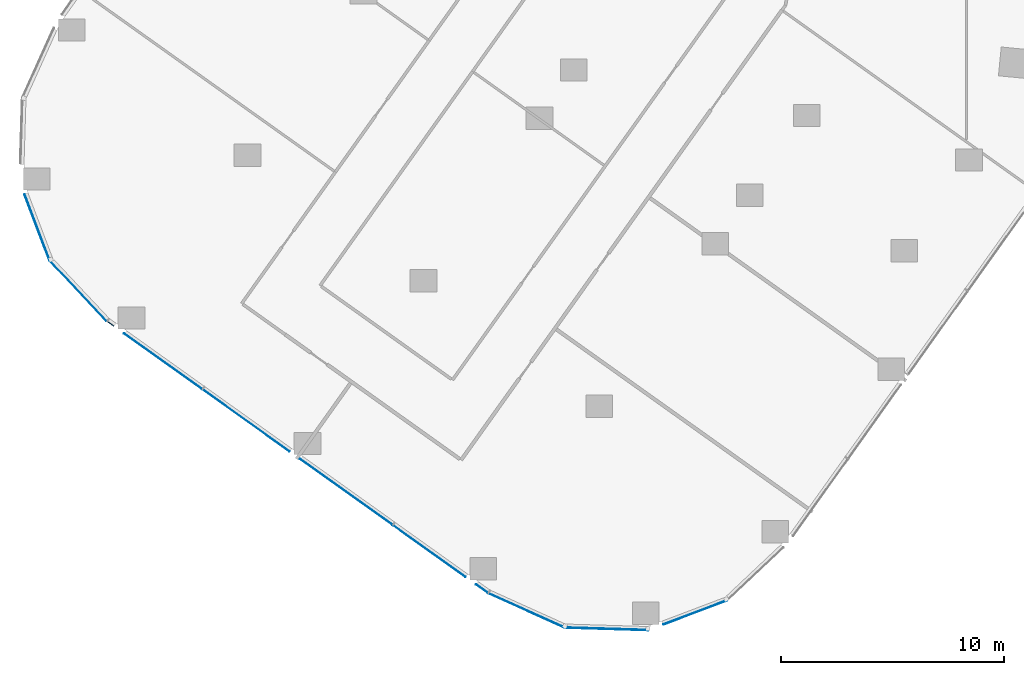
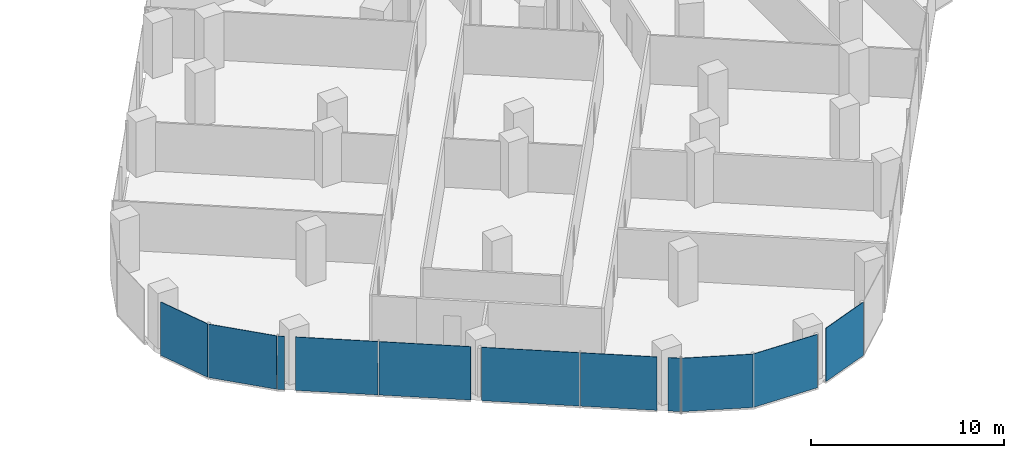
# One storey, part 16 of 31: 11 plates, 6 elements without a shape of their own.
"""IFC4 building model written with IfcOpenShell, lengths in metres."""

from ifc_helpers import new_model, si_unit, direction, frame, origin, origin_2d, place, context, subcontext, project, spatial, rectangle, extrude, material, layer, layer_set, type_object, element, aggregate, save


model = new_model("IFC4")

# Units and contexts
model_context = context("Model", 3, precision=1e-05, world=origin(), true_north=direction((0.0, 1.0)))
body_context = subcontext(model_context, "Body", "Model", "MODEL_VIEW")
ifc_project = project(units=[si_unit("LENGTHUNIT", "METRE"), si_unit("AREAUNIT", "SQUARE_METRE"), si_unit("VOLUMEUNIT", "CUBIC_METRE"), si_unit("PLANEANGLEUNIT", "RADIAN"), si_unit("MASSUNIT", "GRAM", prefix="KILO")], contexts=[model_context])

# Site, building, storey
site_placement = place(None, origin())
site = spatial("IfcSite", under=ifc_project, at=site_placement, CompositionType="ELEMENT")
building_placement = place(site_placement, origin())
building = spatial("IfcBuilding", under=site, at=building_placement, Name="Orlundy Tower", CompositionType="ELEMENT")
storey_placement = place(building_placement, frame((0.0, 0.0, 84.199951171875)))
storey = spatial("IfcBuildingStorey", under=building, at=storey_placement, Name="L20", CompositionType="ELEMENT", Elevation=84.199951171875)

# Curtain wall, plate
ifc_material_1 = material(Name="Aluminium bronze anodised", Category="aluminium")
curtain_wall_type = type_object("IfcCurtainWallType", Name="CW1 wall", PredefinedType="NOTDEFINED", material=ifc_material_1)
curtain_wall_1_placement = place(storey_placement, origin())
curtain_wall_1 = element("IfcCurtainWall", 1, at=curtain_wall_1_placement, inside=storey, type_object=curtain_wall_type, Name="CW1 run 020", PredefinedType="NOTDEFINED")
ifc_material_2 = material(Name="Tinted glass", Category="glass")
ifc_layer = layer(ifc_material_2, 0.031982421875)
ifc_layer_set = layer_set([ifc_layer], Name="CW1 glass panel 32")
plate_type = type_object("IfcPlateType", Name="CW1 glass panel 32", PredefinedType="CURTAIN_PANEL", material=ifc_layer_set)
plate_1_placement = place(storey_placement, frame((-17.37158203125, -56.3564453125, -0.27978515625), z_axis=(0.0, 0.0, 1.0), x_axis=(-0.935182458523, -0.354166301715, 0.0)))
plate_1 = element("IfcPlate", 2, at=plate_1_placement, type_object=plate_type, Name="CW1 panel", PredefinedType="CURTAIN_PANEL", context=body_context, shape_type="SweptSolid", body=[
    extrude(rectangle(XDim=3.052490234375, YDim=0.031982421875, at=origin_2d()), origin(), (0.0, 0.0, 1.0), 3.3798828125),
])
aggregate(curtain_wall_1, [plate_1])

curtain_wall_2_placement = place(storey_placement, origin())
curtain_wall_2 = element("IfcCurtainWall", 3, at=curtain_wall_2_placement, inside=storey, type_object=curtain_wall_type, Name="CW1 run 021", PredefinedType="NOTDEFINED")
plate_2_placement = place(storey_placement, frame((-21.357421875, -57.094482421875, -0.27978515625), z_axis=(0.0, 0.0, 1.0), x_axis=(-0.999535219812, 0.030485149754, 0.0)))
plate_2 = element("IfcPlate", 4, at=plate_2_placement, type_object=plate_type, Name="CW1 panel", PredefinedType="CURTAIN_PANEL", context=body_context, shape_type="SweptSolid", body=[
    extrude(rectangle(XDim=3.77197265625, YDim=0.031982421875, at=origin_2d()), origin(), (0.0, 0.0, 1.0), 3.3798828125),
])
aggregate(curtain_wall_2, [plate_2])

curtain_wall_3_placement = place(storey_placement, origin())
curtain_wall_3 = element("IfcCurtainWall", 5, at=curtain_wall_3_placement, inside=storey, type_object=curtain_wall_type, Name="CW1 run 022", PredefinedType="NOTDEFINED")
plate_3_placement = place(storey_placement, frame((-24.94287109375, -56.2705078125, -0.27978515625), z_axis=(0.0, 0.0, 1.0), x_axis=(-0.911673970719, 0.410914311157, 0.0)))
plate_3 = element("IfcPlate", 6, at=plate_3_placement, type_object=plate_type, Name="CW1 panel", PredefinedType="CURTAIN_PANEL", context=body_context, shape_type="SweptSolid", body=[
    extrude(rectangle(XDim=3.72998046875, YDim=0.031982421875, at=origin_2d()), origin(), (0.0, 0.0, 1.0), 3.3798828125),
])
aggregate(curtain_wall_3, [plate_3])

# Curtain wall, plates
curtain_wall_4_placement = place(storey_placement, origin())
curtain_wall_4 = element("IfcCurtainWall", 7, at=curtain_wall_4_placement, inside=storey, type_object=curtain_wall_type, Name="CW1 run 023", PredefinedType="NOTDEFINED")
plate_4_placement = place(storey_placement, frame((-26.953857421875, -55.28857421875, -0.27978515625), z_axis=(0.0, 0.0, 1.0), x_axis=(-0.814141892545, 0.580665978686, 0.0)))
plate_4 = element("IfcPlate", 8, at=plate_4_placement, type_object=plate_type, Name="CW1 panel", PredefinedType="CURTAIN_PANEL", context=body_context, shape_type="SweptSolid", body=[
    extrude(rectangle(XDim=0.65673828125, YDim=0.031982421875, at=origin_2d()), origin(), (0.0, 0.0, 1.0), 3.3798828125),
])
plate_5_placement = place(storey_placement, frame((-29.31005859375, -53.608154296875, -0.27978515625), z_axis=(0.0, 0.0, 1.0), x_axis=(-0.814141892545, 0.580665978686, 0.0)))
plate_5 = element("IfcPlate", 9, at=plate_5_placement, type_object=plate_type, Name="CW1 panel", PredefinedType="CURTAIN_PANEL", context=body_context, shape_type="SweptSolid", body=[
    extrude(rectangle(XDim=3.987060546875, YDim=0.031982421875, at=origin_2d()), origin(), (0.0, 0.0, 1.0), 3.3798828125),
])
plate_6_placement = place(storey_placement, frame((-33.045654296875, -50.94384765625, -0.27978515625), z_axis=(0.0, 0.0, 1.0), x_axis=(-0.814141892545, 0.580665978686, 0.0)))
plate_6 = element("IfcPlate", 10, at=plate_6_placement, type_object=plate_type, Name="CW1 panel", PredefinedType="CURTAIN_PANEL", context=body_context, shape_type="SweptSolid", body=[
    extrude(rectangle(XDim=5.08984375, YDim=0.031982421875, at=origin_2d()), origin(), (0.0, 0.0, 1.0), 3.3798828125),
])
plate_7_placement = place(storey_placement, frame((-37.53271484375, -47.743408203125, -0.27978515625), z_axis=(0.0, 0.0, 1.0), x_axis=(-0.814141892545, 0.580665978686, 0.0)))
plate_7 = element("IfcPlate", 11, at=plate_7_placement, type_object=plate_type, Name="CW1 panel", PredefinedType="CURTAIN_PANEL", context=body_context, shape_type="SweptSolid", body=[
    extrude(rectangle(XDim=4.787353515625, YDim=0.031982421875, at=origin_2d()), origin(), (0.0, 0.0, 1.0), 3.3798828125),
])
plate_8_placement = place(storey_placement, frame((-41.26904296875, -45.078857421875, -0.27978515625), z_axis=(0.0, 0.0, 1.0), x_axis=(-0.814141892545, 0.580665978686, 0.0)))
plate_8 = element("IfcPlate", 12, at=plate_8_placement, type_object=plate_type, Name="CW1 panel", PredefinedType="CURTAIN_PANEL", context=body_context, shape_type="SweptSolid", body=[
    extrude(rectangle(XDim=4.290771484375, YDim=0.031982421875, at=origin_2d()), origin(), (0.0, 0.0, 1.0), 3.3798828125),
])
plate_9_placement = place(storey_placement, frame((-43.625, -43.3984375, -0.27978515625), z_axis=(0.0, 0.0, 1.0), x_axis=(-0.814141892545, 0.580665978686, 0.0)))
plate_9 = element("IfcPlate", 13, at=plate_9_placement, type_object=plate_type, Name="CW1 panel", PredefinedType="CURTAIN_PANEL", context=body_context, shape_type="SweptSolid", body=[
    extrude(rectangle(XDim=0.353759765625, YDim=0.031982421875, at=origin_2d()), origin(), (0.0, 0.0, 1.0), 3.3798828125),
])
aggregate(curtain_wall_4, [plate_4, plate_5, plate_6, plate_7, plate_8, plate_9])

# Curtain wall, plate
curtain_wall_5_placement = place(storey_placement, origin())
curtain_wall_5 = element("IfcCurtainWall", 14, at=curtain_wall_5_placement, inside=storey, type_object=curtain_wall_type, Name="CW1 run 024", PredefinedType="NOTDEFINED")
plate_10_placement = place(storey_placement, frame((-45.084716796875, -41.904296875, -0.27978515625), z_axis=(0.0, 0.0, 1.0), x_axis=(-0.685196388583, 0.728358365828, 0.0)))
plate_10 = element("IfcPlate", 15, at=plate_10_placement, type_object=plate_type, Name="CW1 panel", PredefinedType="CURTAIN_PANEL", context=body_context, shape_type="SweptSolid", body=[
    extrude(rectangle(XDim=3.730712890625, YDim=0.031982421875, at=origin_2d()), origin(), (0.0, 0.0, 1.0), 3.3798828125),
])
aggregate(curtain_wall_5, [plate_10])

curtain_wall_6_placement = place(storey_placement, origin())
curtain_wall_6 = element("IfcCurtainWall", 16, at=curtain_wall_6_placement, inside=storey, type_object=curtain_wall_type, Name="CW1 run 025", PredefinedType="NOTDEFINED")
plate_11_placement = place(storey_placement, frame((-46.92236328125, -39.068359375, -0.27978515625), z_axis=(0.0, 0.0, 1.0), x_axis=(-0.354166301715, 0.935182458523, 0.0)))
plate_11 = element("IfcPlate", 17, at=plate_11_placement, type_object=plate_type, Name="CW1 panel", PredefinedType="CURTAIN_PANEL", context=body_context, shape_type="SweptSolid", body=[
    extrude(rectangle(XDim=3.159423828125, YDim=0.031982421875, at=origin_2d()), origin(), (0.0, 0.0, 1.0), 3.3798828125),
])
aggregate(curtain_wall_6, [plate_11])

save(model, "model.ifc")
